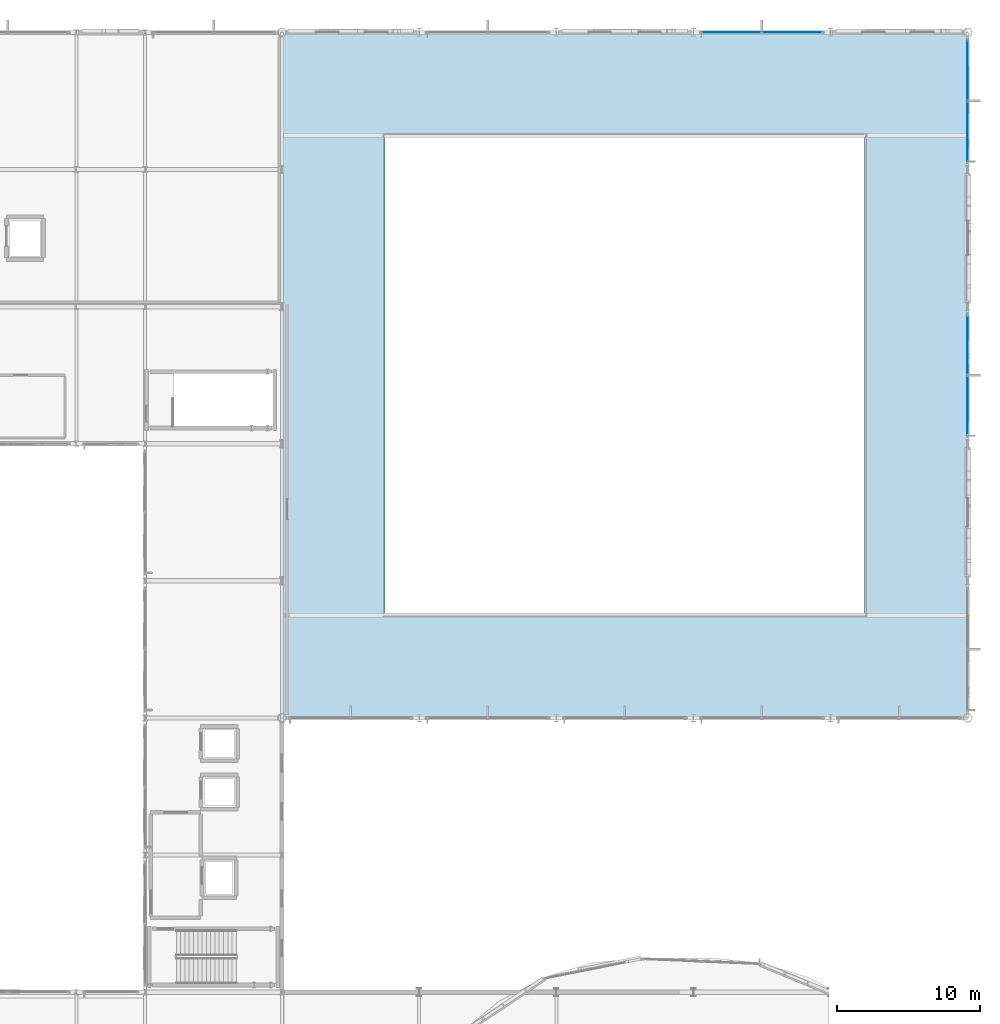
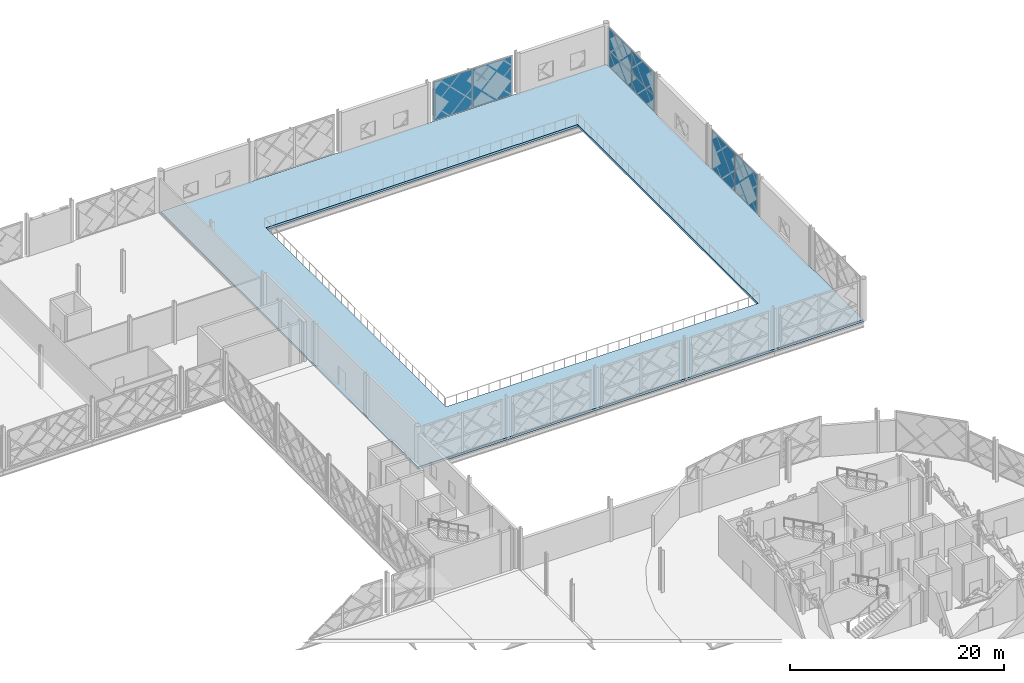
# One storey, part 45 of 77: 8 plates, 1 slab, 3 elements without a shape of their own.
"""IFC4 building model written with IfcOpenShell, lengths in metres."""

from ifc_helpers import new_model, si_unit, direction, frame, origin, origin_2d, place, context, subcontext, project, spatial, polyline, rectangle, outline, extrude, material, layer, layer_set, type_object, element, aggregate, save


model = new_model("IFC4")

# Units and contexts
model_context = context("Model", 3, precision=1e-05, world=origin(), true_north=direction((0.0, 1.0)))
body_context = subcontext(model_context, "Body", "Model", "MODEL_VIEW")
ifc_project = project(units=[si_unit("LENGTHUNIT", "METRE"), si_unit("AREAUNIT", "SQUARE_METRE"), si_unit("VOLUMEUNIT", "CUBIC_METRE"), si_unit("PLANEANGLEUNIT", "RADIAN"), si_unit("MASSUNIT", "GRAM", prefix="KILO")], contexts=[model_context])

# Site, building, storey
site_placement = place(None, origin())
site = spatial("IfcSite", under=ifc_project, at=site_placement, CompositionType="ELEMENT")
building_placement = place(site_placement, origin())
building = spatial("IfcBuilding", under=site, at=building_placement, Name="Zevrakil Square Congress Hotel", CompositionType="ELEMENT")
storey_placement = place(building_placement, frame((0.0, 0.0, 9.89990234375)))
storey = spatial("IfcBuildingStorey", under=building, at=storey_placement, Name="L03", CompositionType="ELEMENT", Elevation=9.89990234375)

# Curtain wall, plate
ifc_material_1 = material(Name="Aluminium Anodised Bronze", Category="aluminium")
ifc_layer_1 = layer(ifc_material_1, 0.179931640625)
ifc_layer_set_1 = layer_set([ifc_layer_1], Name="Aluminium Anodised Bronze")
curtain_wall_type = type_object("IfcCurtainWallType", Name="CW-L03-840", PredefinedType="USERDEFINED", material=ifc_layer_set_1)
curtain_wall_1_placement = place(storey_placement, origin())
curtain_wall_1 = element("IfcCurtainWall", 1, at=curtain_wall_1_placement, inside=storey, type_object=curtain_wall_type, Name="L03 diamond curtain wall CW-L03-0053", ObjectType="GLAZED CURTAIN WALL", PredefinedType="USERDEFINED")
ifc_material_2 = material(Name="Low-E Solar Control Double Glazing", Category="glass")
ifc_layer_2 = layer(ifc_material_2, 0.028076171875)
ifc_layer_set_2 = layer_set([ifc_layer_2], Name="Low-E Solar Control Double Glazing")
plate_type_1 = type_object("IfcPlateType", Name="CWP-GLAZ-28", PredefinedType="CURTAIN_PANEL", material=ifc_layer_set_2)
plate_1_placement = place(storey_placement, frame((165.60009765625, 90.925048828125, 0.06005859375), z_axis=(0.0, 0.0, 1.0), x_axis=(0.0, 1.0, 0.0)))
plate_1 = element("IfcPlate", 2, at=plate_1_placement, type_object=plate_type_1, Name="CW-35 panel 2.1", PredefinedType="CURTAIN_PANEL", context=body_context, shape_type="SweptSolid", body=[
    extrude(rectangle(XDim=4.18994140625, YDim=0.028076171875, at=origin_2d()), origin(), (0.0, 0.0, 1.0), 4.419921875),
])

# Curtain wall, plates
curtain_wall_2_placement = place(storey_placement, origin())
curtain_wall_2 = element("IfcCurtainWall", 3, at=curtain_wall_2_placement, inside=storey, type_object=curtain_wall_type, Name="L03 diamond curtain wall CW-L03-0056", ObjectType="GLAZED CURTAIN WALL", PredefinedType="USERDEFINED")
plate_2_placement = place(storey_placement, frame((165.60009765625, 105.875, 0.06005859375), z_axis=(0.0, 0.0, 1.0), x_axis=(0.0, 1.0, 0.0)))
plate_2 = element("IfcPlate", 4, at=plate_2_placement, type_object=plate_type_1, Name="CW-35 panel 1.1", PredefinedType="CURTAIN_PANEL", context=body_context, shape_type="SweptSolid", body=[
    extrude(rectangle(XDim=4.18994140625, YDim=0.028076171875, at=origin_2d()), origin(), (0.0, 0.0, 1.0), 1.81689453125),
])
plate_3_placement = place(storey_placement, frame((165.60009765625, 110.125, 1.93701171875), z_axis=(0.0, 0.0, 1.0), x_axis=(0.0, 1.0, 0.0)))
plate_3 = element("IfcPlate", 5, at=plate_3_placement, type_object=plate_type_1, Name="CW-35 panel 2.2", PredefinedType="CURTAIN_PANEL", context=body_context, shape_type="SweptSolid", body=[
    extrude(rectangle(XDim=4.18994140625, YDim=0.028076171875, at=origin_2d()), origin(), (0.0, 0.0, 1.0), 2.543212890625),
])

# Curtain wall, plate
curtain_wall_3_placement = place(storey_placement, origin())
curtain_wall_3 = element("IfcCurtainWall", 6, at=curtain_wall_3_placement, inside=storey, type_object=curtain_wall_type, Name="L03 diamond curtain wall CW-L03-0047", ObjectType="GLAZED CURTAIN WALL", PredefinedType="USERDEFINED")
ifc_material_3 = material(Name="Basalt Grey Ribbed GRC Panel", Category="masonry")
ifc_layer_3 = layer(ifc_material_3, 0.0439453125)
ifc_layer_set_3 = layer_set([ifc_layer_3], Name="Basalt Grey Ribbed GRC Panel")
plate_type_2 = type_object("IfcPlateType", Name="CWP-GRCG-44", PredefinedType="CURTAIN_PANEL", material=ifc_layer_set_3)
plate_4_placement = place(storey_placement, frame((153.324951171875, 112.800048828125, 0.06005859375), z_axis=(0.0, 0.0, 1.0), x_axis=(1.0, 0.0, 0.0)))
plate_4 = element("IfcPlate", 7, at=plate_4_placement, type_object=plate_type_2, Name="CW-35 panel 2.1", PredefinedType="CURTAIN_PANEL", context=body_context, shape_type="SweptSolid", body=[
    extrude(rectangle(XDim=4.18994140625, YDim=0.028076171875, at=origin_2d()), origin(), (0.0, 0.0, 1.0), 4.419921875),
])

# Plate
plate_5_placement = place(storey_placement, frame((165.60009765625, 86.675048828125, 0.06005859375), z_axis=(0.0, 0.0, 1.0), x_axis=(0.0, 1.0, 0.0)))
plate_5 = element("IfcPlate", 8, at=plate_5_placement, type_object=plate_type_2, Name="CW-35 panel 1.1", PredefinedType="CURTAIN_PANEL", context=body_context, shape_type="SweptSolid", body=[
    extrude(rectangle(XDim=4.18994140625, YDim=0.028076171875, at=origin_2d()), origin(), (0.0, 0.0, 1.0), 4.419921875),
])

aggregate(curtain_wall_1, [plate_5, plate_1])

plate_6_placement = place(storey_placement, frame((165.60009765625, 110.125, 0.06005859375), z_axis=(0.0, 0.0, 1.0), x_axis=(0.0, 1.0, 0.0)))
plate_6 = element("IfcPlate", 9, at=plate_6_placement, type_object=plate_type_2, Name="CW-35 panel 2.1", PredefinedType="CURTAIN_PANEL", context=body_context, shape_type="SweptSolid", body=[
    extrude(rectangle(XDim=4.18994140625, YDim=0.028076171875, at=origin_2d()), origin(), (0.0, 0.0, 1.0), 1.81689453125),
])

ifc_material_4 = material(Name="White Ribbed Highland GRC Panel", Category="concrete")
ifc_layer_4 = layer(ifc_material_4, 0.0400390625)
ifc_layer_set_4 = layer_set([ifc_layer_4], Name="White Ribbed Highland GRC Panel")
plate_type_3 = type_object("IfcPlateType", Name="CWP-GRCW-40", PredefinedType="CURTAIN_PANEL", material=ifc_layer_set_4)
plate_7_placement = place(storey_placement, frame((149.074951171875, 112.800048828125, 0.06005859375), z_axis=(0.0, 0.0, 1.0), x_axis=(1.0, 0.0, 0.0)))
plate_7 = element("IfcPlate", 10, at=plate_7_placement, type_object=plate_type_3, Name="CW-35 panel 1.1", PredefinedType="CURTAIN_PANEL", context=body_context, shape_type="SweptSolid", body=[
    extrude(rectangle(XDim=4.18994140625, YDim=0.028076171875, at=origin_2d()), origin(), (0.0, 0.0, 1.0), 4.419921875),
])

aggregate(curtain_wall_3, [plate_7, plate_4])

plate_8_placement = place(storey_placement, frame((165.60009765625, 105.875, 1.93701171875), z_axis=(0.0, 0.0, 1.0), x_axis=(0.0, 1.0, 0.0)))
plate_8 = element("IfcPlate", 11, at=plate_8_placement, type_object=plate_type_3, Name="CW-35 panel 1.2", PredefinedType="CURTAIN_PANEL", context=body_context, shape_type="SweptSolid", body=[
    extrude(rectangle(XDim=4.18994140625, YDim=0.028076171875, at=origin_2d()), origin(), (0.0, 0.0, 1.0), 2.543212890625),
])

aggregate(curtain_wall_2, [plate_2, plate_8, plate_6, plate_3])

# Slab
ifc_material_5 = material(Name="Concrete C35/45", Category="concrete")
ifc_layer_5 = layer(ifc_material_5, 0.2548828125)
ifc_layer_set_5 = layer_set([ifc_layer_5], Name="Concrete C35/45")
slab_type = type_object("IfcSlabType", Name="SLB-L03-200", PredefinedType="FLOOR", material=ifc_layer_set_5)
slab_placement = place(storey_placement, frame((0.0, 0.0, -0.2548828125)))
element("IfcSlab", 12, at=slab_placement, inside=storey, type_object=slab_type, Name="L03 congress hall upper acoustic technical ring slab", PredefinedType="FLOOR", context=body_context, shape_type="SweptSolid", body=[
    extrude(outline(polyline([(117.60009765625, 64.800048828125), (165.60009765625, 64.800048828125), (165.60009765625, 112.800048828125), (117.60009765625, 112.800048828125), (117.60009765625, 64.800048828125)]), holes=[polyline([(124.800048828125, 72.0), (158.39990234375, 72.0), (158.39990234375, 105.60009765625), (124.800048828125, 105.60009765625), (124.800048828125, 72.0)])]), origin(), (0.0, 0.0, 1.0), 0.2548828125),
])

save(model, "model.ifc")
